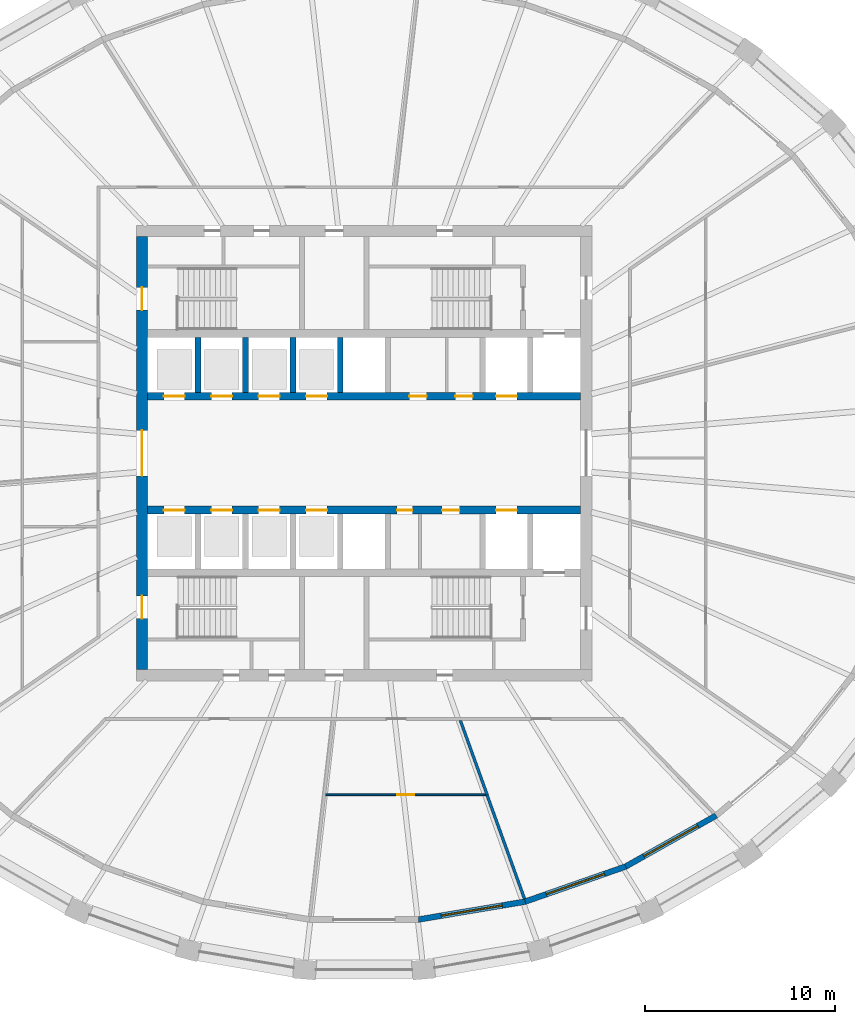
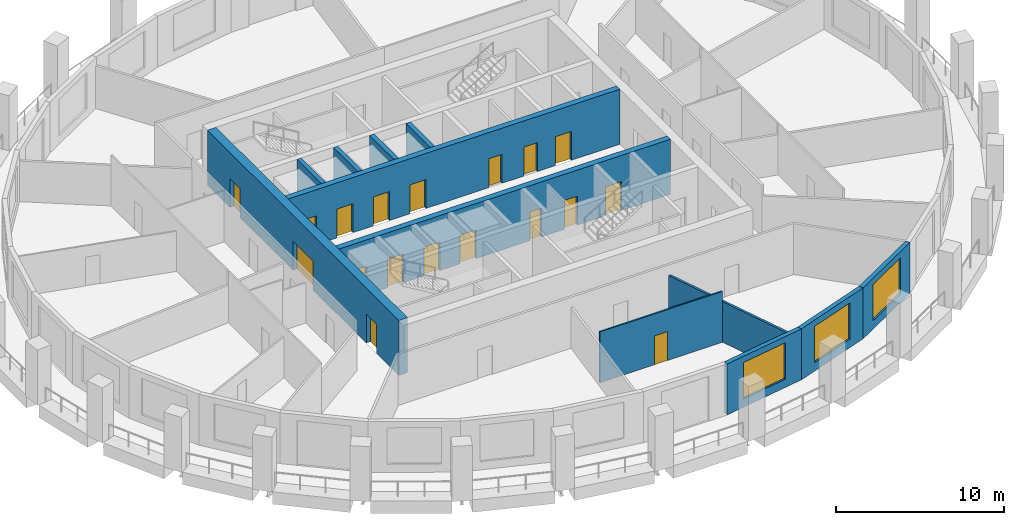
# One storey, part 4 of 11: 18 doors, 13 walls, 3 windows, 21 openings.
"""IFC4 building model written with IfcOpenShell, lengths in metres."""

from ifc_helpers import new_model, si_unit, direction, frame, frame_2d, origin, place, context, subcontext, project, spatial, polyline, rectangle, outline, extrude, material, layer, layer_set, type_object, element, fill, save


model = new_model("IFC4")

# Units and contexts
model_context = context("Model", 3, precision=1e-05, world=origin(), true_north=direction((0.0, 1.0)))
body_context = subcontext(model_context, "Body", "Model", "MODEL_VIEW")
ifc_project = project(units=[si_unit("LENGTHUNIT", "METRE"), si_unit("AREAUNIT", "SQUARE_METRE"), si_unit("VOLUMEUNIT", "CUBIC_METRE"), si_unit("PLANEANGLEUNIT", "RADIAN"), si_unit("MASSUNIT", "GRAM", prefix="KILO")], contexts=[model_context])

# Site, building, storey
site_placement = place(None, origin())
site = spatial("IfcSite", under=ifc_project, at=site_placement, CompositionType="ELEMENT")
building_placement = place(site_placement, origin())
building = spatial("IfcBuilding", under=site, at=building_placement, Name="Halqa Exchange Tower", CompositionType="ELEMENT")
storey_placement = place(building_placement, frame((0.0, 0.0, 218.89990234375)))
storey = spatial("IfcBuildingStorey", under=building, at=storey_placement, Name="L50", CompositionType="ELEMENT", Elevation=218.89990234375)

# Walls
ifc_material_1 = material(Name="Fire-rated gypsum board")
ifc_layer_1 = layer(ifc_material_1, 0.14990234375)
ifc_layer_set_1 = layer_set([ifc_layer_1], Name="Fire-rated gypsum board")
wall_type_1 = type_object("IfcWallType", Name="Fire partition EI 60 150", PredefinedType="PARTITIONING", material=ifc_layer_set_1)
wall_1_placement = place(storey_placement, frame((5.05810546875, -14.0498046875, 0.0), z_axis=(0.0, 0.0, 1.0), x_axis=(0.338678283686, -0.940902237302, 0.0)))
element("IfcWall", 1, at=wall_1_placement, inside=storey, type_object=wall_type_1, Name="L50-PWL-022", PredefinedType="PARTITIONING", context=body_context, shape_type="SweptSolid", body=[
    extrude(outline(polyline([(0.0, -0.074951171875), (1.372802734375, -0.074951171875), (2.745361328125, -0.074951171875), (4.1181640625, -0.074951171875), (4.1181640625, -0.07470703125), (4.11865234375, -0.074951171875), (4.1982421875, -0.074951171875), (4.1982421875, 0.074951171875), (2.816650390625, 0.074951171875), (1.435302734375, 0.074951171875), (0.0537109375, 0.074951171875), (0.0, -0.074462890625), (0.0, -0.074951171875)])), origin(), (0.0, 0.0, 1.0), 2.947021484375),
])
wall_2_placement = place(storey_placement, frame((6.47119140625, -18.00341796875, 0.0), z_axis=(0.0, 0.0, 1.0), x_axis=(0.339648584393, -0.940552411681, 0.0)))
element("IfcWall", 2, at=wall_2_placement, inside=storey, type_object=wall_type_1, Name="L50-PWL-024", PredefinedType="PARTITIONING", context=body_context, shape_type="SweptSolid", body=[
    extrude(outline(polyline([(0.021484375, -0.074951171875), (1.951171875, -0.074951171875), (3.880615234375, -0.074951171875), (5.810302734375, -0.074951171875), (5.8232421875, -0.003662109375), (5.82373046875, 0.043212890625), (5.82373046875, 0.074951171875), (3.882568359375, 0.074951171875), (1.941162109375, 0.074951171875), (0.0, 0.074951171875), (0.0, -0.067138671875), (0.021484375, -0.074951171875)])), origin(), (0.0, 0.0, 1.0), 2.947021484375),
])

# Wall, opening, door
ifc_material_2 = material(Name="Gypsum board")
ifc_layer_2 = layer(ifc_material_2, 0.10009765625)
ifc_layer_set_2 = layer_set([ifc_layer_2], Name="Gypsum board")
wall_type_2 = type_object("IfcWallType", Name="Partition 100 gypsum", PredefinedType="PARTITIONING", material=ifc_layer_set_2)
wall_3_placement = place(storey_placement, frame((6.407958984375, -18.0, 0.0), z_axis=(0.0, 0.0, 1.0), x_axis=(-1.0, 0.0, 0.0)))
wall_3 = element("IfcWall", 3, at=wall_3_placement, inside=storey, type_object=wall_type_2, Name="L50-PWL-023", PredefinedType="PARTITIONING", context=body_context, shape_type="SweptSolid", body=[
    extrude(outline(polyline([(0.025634765625, -0.050048828125), (1.705810546875, -0.050048828125), (3.385986328125, -0.050048828125), (5.066162109375, -0.050048828125), (6.746337890625, -0.050048828125), (8.426513671875, -0.050048828125), (8.43798828125, 0.04736328125), (8.43798828125, 0.050048828125), (6.75048828125, 0.050048828125), (5.062744140625, 0.050048828125), (3.375244140625, 0.050048828125), (1.6875, 0.050048828125), (0.0, 0.050048828125), (0.0, 0.049072265625), (0.0068359375, 0.0302734375), (0.0, 0.02783203125), (0.0, 0.021484375), (0.025634765625, -0.050048828125)])), origin(), (0.0, 0.0, 1.0), 3.7001953125),
])
opening_1_placement = place(wall_3_placement, frame((3.77294921875, 0.0, 0.0)))
opening_1 = element("IfcOpeningElement", 4, at=opening_1_placement, cuts=wall_3, Name="Opening 15-19", PredefinedType="OPENING", context=body_context, shape_type="SweptSolid", body=[
    extrude(rectangle(XDim=0.89990234375, YDim=2.10009765625, at=frame_2d((0.449951171875, 1.050048828125))), frame((0.0, 0.06201171875, 0.0), z_axis=(0.0, -1.0, 0.0), x_axis=(1.0, 0.0, 0.0)), (0.0, 0.0, 1.0), 0.1240234375),
])
ifc_material_3 = material(Name="Timber door leaf", Category="wood")
door_type_1 = type_object("IfcDoorType", Name="Door 900 x 2100", OperationType="SINGLE_SWING_LEFT", PredefinedType="DOOR", material=ifc_material_3)
door_1_placement = place(opening_1_placement, frame((0.89990234375, 0.0, 0.0), z_axis=(0.0, 0.0, 1.0), x_axis=(-1.0, 0.0, 0.0)))
door_1 = element("IfcDoor", 5, at=door_1_placement, inside=storey, type_object=door_type_1, Name="L50-IDR-019", OperationType="SINGLE_SWING_RIGHT", OverallHeight=2.10009765625, OverallWidth=0.89990234375, PredefinedType="DOOR", context=body_context, shape_type="SweptSolid", body=[
    extrude(rectangle(XDim=0.89990234375, YDim=2.10009765625, at=frame_2d((0.449951171875, 1.050048828125))), frame((0.0, 0.02490234375, 0.0), z_axis=(0.0, -1.0, 0.0), x_axis=(1.0, 0.0, 0.0)), (0.0, 0.0, 1.0), 0.050048828125),
])
fill(opening_1, door_1)

# Walls
ifc_material_4 = material(Name="Concrete C60/75", Category="concrete")
ifc_layer_3 = layer(ifc_material_4, 0.300048828125)
ifc_layer_set_3 = layer_set([ifc_layer_3], Name="Concrete C60/75")
wall_type_3 = type_object("IfcWallType", Name="RC core wall 300", PredefinedType="SHEAR", material=ifc_layer_set_3)
for number, where, z_axis, x_axis, name in (
    (6, (-8.75, 3.199951171875, 0.0), (0.0, 0.0, 1.0), (0.0, 1.0, 0.0), "Shaft divider N1"),
    (7, (-6.25, 3.199951171875, 0.0), (0.0, 0.0, 1.0), (0.0, 1.0, 0.0), "Shaft divider N2"),
    (8, (-3.75, 3.199951171875, 0.0), (0.0, 0.0, 1.0), (0.0, 1.0, 0.0), "Shaft divider N3"),
    (9, (-1.25, 3.199951171875, 0.0), (0.0, 0.0, 1.0), (0.0, 1.0, 0.0), "Shaft divider N4"),
):
    element("IfcWall", number, at=place(storey_placement, frame(where, z_axis=z_axis, x_axis=x_axis)), inside=storey, type_object=wall_type_3, Name=name, PredefinedType="SHEAR", context=body_context, shape_type="SweptSolid", body=[
        extrude(rectangle(XDim=2.900146484375, YDim=0.300048828125, at=frame_2d((1.4501953125, 0.0))), origin(), (0.0, 0.0, 1.0), 4.0),
    ])

# Wall, openings, doors
ifc_material_5 = material(Name="Concrete C70/85", Category="concrete")
ifc_layer_4 = layer(ifc_material_5, 0.39990234375)
ifc_layer_set_4 = layer_set([ifc_layer_4], Name="Concrete C70/85")
wall_type_4 = type_object("IfcWallType", Name="RC core wall 400 C70/85", PredefinedType="SHEAR", material=ifc_layer_set_4)
wall_4_placement = place(storey_placement, frame((-11.39990234375, 3.0, 0.0), z_axis=(0.0, 0.0, 1.0), x_axis=(1.0, 0.0, 0.0)))
wall_4 = element("IfcWall", 10, at=wall_4_placement, inside=storey, type_object=wall_type_4, Name="Lift row front wall N", PredefinedType="SHEAR", context=body_context, shape_type="SweptSolid", body=[
    extrude(rectangle(XDim=22.7998046875, YDim=0.39990234375, at=frame_2d((11.39990234375, 0.0))), origin(), (0.0, 0.0, 1.0), 4.0),
])
opening_2_placement = place(wall_4_placement, frame((0.85009765625, 0.0, 0.0)))
opening_2 = element("IfcOpeningElement", 11, at=opening_2_placement, cuts=wall_4, Name="Opening LD-HR1-T15", PredefinedType="OPENING", context=body_context, shape_type="SweptSolid", body=[
    extrude(rectangle(XDim=1.10009765625, YDim=2.10009765625, at=frame_2d((0.550048828125, 1.050048828125))), frame((0.0, 0.2119140625, 0.0), z_axis=(0.0, -1.0, 0.0), x_axis=(1.0, 0.0, 0.0)), (0.0, 0.0, 1.0), 0.423828125),
])
opening_3_placement = place(wall_4_placement, frame((3.35009765625, 0.0, 0.0)))
opening_3 = element("IfcOpeningElement", 12, at=opening_3_placement, cuts=wall_4, Name="Opening LD-HR2-T15", PredefinedType="OPENING", context=body_context, shape_type="SweptSolid", body=[
    extrude(rectangle(XDim=1.10009765625, YDim=2.10009765625, at=frame_2d((0.550048828125, 1.050048828125))), frame((0.0, 0.2119140625, 0.0), z_axis=(0.0, -1.0, 0.0), x_axis=(1.0, 0.0, 0.0)), (0.0, 0.0, 1.0), 0.423828125),
])
opening_4_placement = place(wall_4_placement, frame((5.85009765625, 0.0, 0.0)))
opening_4 = element("IfcOpeningElement", 13, at=opening_4_placement, cuts=wall_4, Name="Opening LD-MR1-T15", PredefinedType="OPENING", context=body_context, shape_type="SweptSolid", body=[
    extrude(rectangle(XDim=1.10009765625, YDim=2.10009765625, at=frame_2d((0.550048828125, 1.050048828125))), frame((0.0, 0.2119140625, 0.0), z_axis=(0.0, -1.0, 0.0), x_axis=(1.0, 0.0, 0.0)), (0.0, 0.0, 1.0), 0.423828125),
])
opening_5_placement = place(wall_4_placement, frame((8.35009765625, 0.0, 0.0)))
opening_5 = element("IfcOpeningElement", 14, at=opening_5_placement, cuts=wall_4, Name="Opening LD-MR2-T15", PredefinedType="OPENING", context=body_context, shape_type="SweptSolid", body=[
    extrude(rectangle(XDim=1.10009765625, YDim=2.10009765625, at=frame_2d((0.550048828125, 1.050048828125))), frame((0.0, 0.2119140625, 0.0), z_axis=(0.0, -1.0, 0.0), x_axis=(1.0, 0.0, 0.0)), (0.0, 0.0, 1.0), 0.423828125),
])
opening_6_placement = place(wall_4_placement, frame((18.35009765625, 0.0, 0.0)))
opening_6 = element("IfcOpeningElement", 15, at=opening_6_placement, cuts=wall_4, Name="Opening LD-SV1-T15", PredefinedType="OPENING", context=body_context, shape_type="SweptSolid", body=[
    extrude(rectangle(XDim=1.10009765625, YDim=2.10009765625, at=frame_2d((0.550048828125, 1.050048828125))), frame((0.0, 0.2119140625, 0.0), z_axis=(0.0, -1.0, 0.0), x_axis=(1.0, 0.0, 0.0)), (0.0, 0.0, 1.0), 0.423828125),
])
opening_7_placement = place(wall_4_placement, frame((13.78759765625, 0.0, 0.0)))
opening_7 = element("IfcOpeningElement", 16, at=opening_7_placement, cuts=wall_4, Name="Opening T15-C29", PredefinedType="OPENING", context=body_context, shape_type="SweptSolid", body=[
    extrude(rectangle(XDim=0.89990234375, YDim=2.10009765625, at=frame_2d((0.449951171875, 1.050048828125))), frame((0.0, 0.2119140625, 0.0), z_axis=(0.0, -1.0, 0.0), x_axis=(1.0, 0.0, 0.0)), (0.0, 0.0, 1.0), 0.423828125),
])
opening_8_placement = place(wall_4_placement, frame((16.21240234375, 0.0, 0.0)))
opening_8 = element("IfcOpeningElement", 17, at=opening_8_placement, cuts=wall_4, Name="Opening T15-C30", PredefinedType="OPENING", context=body_context, shape_type="SweptSolid", body=[
    extrude(rectangle(XDim=0.89990234375, YDim=2.10009765625, at=frame_2d((0.449951171875, 1.050048828125))), frame((0.0, 0.2119140625, 0.0), z_axis=(0.0, -1.0, 0.0), x_axis=(1.0, 0.0, 0.0)), (0.0, 0.0, 1.0), 0.423828125),
])
ifc_material_6 = material(Name="Timber fire door leaf", Category="wood")
door_type_2 = type_object("IfcDoorType", Name="Core room door FD30 900 x 2100", OperationType="SINGLE_SWING_LEFT", PredefinedType="DOOR", material=ifc_material_6)
door_2_placement = place(opening_7_placement, origin())
door_2 = element("IfcDoor", 18, at=door_2_placement, inside=storey, type_object=door_type_2, Name="Core room door", OperationType="SINGLE_SWING_LEFT", OverallHeight=2.10009765625, OverallWidth=0.89990234375, PredefinedType="DOOR", context=body_context, shape_type="SweptSolid", body=[
    extrude(rectangle(XDim=0.89990234375, YDim=2.10009765625, at=frame_2d((0.449951171875, 1.050048828125))), frame((0.0, 0.02490234375, 0.0), z_axis=(0.0, -1.0, 0.0), x_axis=(1.0, 0.0, 0.0)), (0.0, 0.0, 1.0), 0.050048828125),
])
fill(opening_7, door_2)
door_3_placement = place(opening_8_placement, origin())
door_3 = element("IfcDoor", 19, at=door_3_placement, inside=storey, type_object=door_type_2, Name="Core room door", OperationType="SINGLE_SWING_RIGHT", OverallHeight=2.10009765625, OverallWidth=0.89990234375, PredefinedType="DOOR", context=body_context, shape_type="SweptSolid", body=[
    extrude(rectangle(XDim=0.89990234375, YDim=2.10009765625, at=frame_2d((0.449951171875, 1.050048828125))), frame((0.0, 0.02490234375, 0.0), z_axis=(0.0, -1.0, 0.0), x_axis=(1.0, 0.0, 0.0)), (0.0, 0.0, 1.0), 0.050048828125),
])
fill(opening_8, door_3)
ifc_material_7 = material(Name="Stainless steel", Category="steel")
door_type_3 = type_object("IfcDoorType", Name="Lift landing door 1100 x 2100", OperationType="SLIDING_TO_LEFT", PredefinedType="DOOR", material=ifc_material_7)
door_4_placement = place(opening_2_placement, origin())
door_4 = element("IfcDoor", 20, at=door_4_placement, inside=storey, type_object=door_type_3, Name="Lift landing door HR1", OperationType="SLIDING_TO_LEFT", OverallHeight=2.10009765625, OverallWidth=1.10009765625, PredefinedType="DOOR", context=body_context, shape_type="SweptSolid", body=[
    extrude(rectangle(XDim=1.10009765625, YDim=2.10009765625, at=frame_2d((0.550048828125, 1.050048828125))), frame((0.0, 0.02490234375, 0.0), z_axis=(0.0, -1.0, 0.0), x_axis=(1.0, 0.0, 0.0)), (0.0, 0.0, 1.0), 0.050048828125),
])
fill(opening_2, door_4)
door_5_placement = place(opening_3_placement, origin())
door_5 = element("IfcDoor", 21, at=door_5_placement, inside=storey, type_object=door_type_3, Name="Lift landing door HR2", OperationType="SLIDING_TO_LEFT", OverallHeight=2.10009765625, OverallWidth=1.10009765625, PredefinedType="DOOR", context=body_context, shape_type="SweptSolid", body=[
    extrude(rectangle(XDim=1.10009765625, YDim=2.10009765625, at=frame_2d((0.550048828125, 1.050048828125))), frame((0.0, 0.02490234375, 0.0), z_axis=(0.0, -1.0, 0.0), x_axis=(1.0, 0.0, 0.0)), (0.0, 0.0, 1.0), 0.050048828125),
])
fill(opening_3, door_5)
door_6_placement = place(opening_4_placement, origin())
door_6 = element("IfcDoor", 22, at=door_6_placement, inside=storey, type_object=door_type_3, Name="Lift landing door MR1", OperationType="SLIDING_TO_LEFT", OverallHeight=2.10009765625, OverallWidth=1.10009765625, PredefinedType="DOOR", context=body_context, shape_type="SweptSolid", body=[
    extrude(rectangle(XDim=1.10009765625, YDim=2.10009765625, at=frame_2d((0.550048828125, 1.050048828125))), frame((0.0, 0.02490234375, 0.0), z_axis=(0.0, -1.0, 0.0), x_axis=(1.0, 0.0, 0.0)), (0.0, 0.0, 1.0), 0.050048828125),
])
fill(opening_4, door_6)
door_7_placement = place(opening_5_placement, origin())
door_7 = element("IfcDoor", 23, at=door_7_placement, inside=storey, type_object=door_type_3, Name="Lift landing door MR2", OperationType="SLIDING_TO_LEFT", OverallHeight=2.10009765625, OverallWidth=1.10009765625, PredefinedType="DOOR", context=body_context, shape_type="SweptSolid", body=[
    extrude(rectangle(XDim=1.10009765625, YDim=2.10009765625, at=frame_2d((0.550048828125, 1.050048828125))), frame((0.0, 0.02490234375, 0.0), z_axis=(0.0, -1.0, 0.0), x_axis=(1.0, 0.0, 0.0)), (0.0, 0.0, 1.0), 0.050048828125),
])
fill(opening_5, door_7)
door_8_placement = place(opening_6_placement, origin())
door_8 = element("IfcDoor", 24, at=door_8_placement, inside=storey, type_object=door_type_3, Name="Lift landing door SV1", OperationType="SLIDING_TO_LEFT", OverallHeight=2.10009765625, OverallWidth=1.10009765625, PredefinedType="DOOR", context=body_context, shape_type="SweptSolid", body=[
    extrude(rectangle(XDim=1.10009765625, YDim=2.10009765625, at=frame_2d((0.550048828125, 1.050048828125))), frame((0.0, 0.02490234375, 0.0), z_axis=(0.0, -1.0, 0.0), x_axis=(1.0, 0.0, 0.0)), (0.0, 0.0, 1.0), 0.050048828125),
])
fill(opening_6, door_8)

wall_5_placement = place(storey_placement, frame((-11.39990234375, -3.0, 0.0), z_axis=(0.0, 0.0, 1.0), x_axis=(1.0, 0.0, 0.0)))
wall_5 = element("IfcWall", 25, at=wall_5_placement, inside=storey, type_object=wall_type_4, Name="Lift row front wall S", PredefinedType="SHEAR", context=body_context, shape_type="SweptSolid", body=[
    extrude(rectangle(XDim=22.7998046875, YDim=0.39990234375, at=frame_2d((11.39990234375, 0.0))), origin(), (0.0, 0.0, 1.0), 4.0),
])
opening_9_placement = place(wall_5_placement, frame((0.85009765625, 0.0, 0.0)))
opening_9 = element("IfcOpeningElement", 26, at=opening_9_placement, cuts=wall_5, Name="Opening LD-HR3-T15", PredefinedType="OPENING", context=body_context, shape_type="SweptSolid", body=[
    extrude(rectangle(XDim=1.10009765625, YDim=2.10009765625, at=frame_2d((0.550048828125, 1.050048828125))), frame((0.0, 0.2119140625, 0.0), z_axis=(0.0, -1.0, 0.0), x_axis=(1.0, 0.0, 0.0)), (0.0, 0.0, 1.0), 0.423828125),
])
opening_10_placement = place(wall_5_placement, frame((3.35009765625, 0.0, 0.0)))
opening_10 = element("IfcOpeningElement", 27, at=opening_10_placement, cuts=wall_5, Name="Opening LD-HR4-T15", PredefinedType="OPENING", context=body_context, shape_type="SweptSolid", body=[
    extrude(rectangle(XDim=1.10009765625, YDim=2.10009765625, at=frame_2d((0.550048828125, 1.050048828125))), frame((0.0, 0.2119140625, 0.0), z_axis=(0.0, -1.0, 0.0), x_axis=(1.0, 0.0, 0.0)), (0.0, 0.0, 1.0), 0.423828125),
])
opening_11_placement = place(wall_5_placement, frame((5.85009765625, 0.0, 0.0)))
opening_11 = element("IfcOpeningElement", 28, at=opening_11_placement, cuts=wall_5, Name="Opening LD-MR3-T15", PredefinedType="OPENING", context=body_context, shape_type="SweptSolid", body=[
    extrude(rectangle(XDim=1.10009765625, YDim=2.10009765625, at=frame_2d((0.550048828125, 1.050048828125))), frame((0.0, 0.2119140625, 0.0), z_axis=(0.0, -1.0, 0.0), x_axis=(1.0, 0.0, 0.0)), (0.0, 0.0, 1.0), 0.423828125),
])
opening_12_placement = place(wall_5_placement, frame((8.35009765625, 0.0, 0.0)))
opening_12 = element("IfcOpeningElement", 29, at=opening_12_placement, cuts=wall_5, Name="Opening LD-MR4-T15", PredefinedType="OPENING", context=body_context, shape_type="SweptSolid", body=[
    extrude(rectangle(XDim=1.10009765625, YDim=2.10009765625, at=frame_2d((0.550048828125, 1.050048828125))), frame((0.0, 0.2119140625, 0.0), z_axis=(0.0, -1.0, 0.0), x_axis=(1.0, 0.0, 0.0)), (0.0, 0.0, 1.0), 0.423828125),
])
opening_13_placement = place(wall_5_placement, frame((18.35009765625, 0.0, 0.0)))
opening_13 = element("IfcOpeningElement", 30, at=opening_13_placement, cuts=wall_5, Name="Opening LD-SV2-T15", PredefinedType="OPENING", context=body_context, shape_type="SweptSolid", body=[
    extrude(rectangle(XDim=1.10009765625, YDim=2.10009765625, at=frame_2d((0.550048828125, 1.050048828125))), frame((0.0, 0.2119140625, 0.0), z_axis=(0.0, -1.0, 0.0), x_axis=(1.0, 0.0, 0.0)), (0.0, 0.0, 1.0), 0.423828125),
])
opening_14_placement = place(wall_5_placement, frame((13.137451171875, 0.0, 0.0)))
opening_14 = element("IfcOpeningElement", 31, at=opening_14_placement, cuts=wall_5, Name="Opening T15-C31", PredefinedType="OPENING", context=body_context, shape_type="SweptSolid", body=[
    extrude(rectangle(XDim=0.800048828125, YDim=2.10009765625, at=frame_2d((0.39990234375, 1.050048828125))), frame((0.0, 0.2119140625, 0.0), z_axis=(0.0, -1.0, 0.0), x_axis=(1.0, 0.0, 0.0)), (0.0, 0.0, 1.0), 0.423828125),
])
opening_15_placement = place(wall_5_placement, frame((15.512451171875, 0.0, 0.0)))
opening_15 = element("IfcOpeningElement", 32, at=opening_15_placement, cuts=wall_5, Name="Opening T15-C32", PredefinedType="OPENING", context=body_context, shape_type="SweptSolid", body=[
    extrude(rectangle(XDim=0.89990234375, YDim=2.10009765625, at=frame_2d((0.449951171875, 1.050048828125))), frame((0.0, 0.2119140625, 0.0), z_axis=(0.0, -1.0, 0.0), x_axis=(1.0, 0.0, 0.0)), (0.0, 0.0, 1.0), 0.423828125),
])
door_9_placement = place(opening_15_placement, frame((0.89990234375, 0.0, 0.0), z_axis=(0.0, 0.0, 1.0), x_axis=(-1.0, 0.0, 0.0)))
door_9 = element("IfcDoor", 33, at=door_9_placement, inside=storey, type_object=door_type_2, Name="Core room door", OperationType="SINGLE_SWING_LEFT", OverallHeight=2.10009765625, OverallWidth=0.89990234375, PredefinedType="DOOR", context=body_context, shape_type="SweptSolid", body=[
    extrude(rectangle(XDim=0.89990234375, YDim=2.10009765625, at=frame_2d((0.449951171875, 1.050048828125))), frame((0.0, 0.02490234375, 0.0), z_axis=(0.0, -1.0, 0.0), x_axis=(1.0, 0.0, 0.0)), (0.0, 0.0, 1.0), 0.050048828125),
])
fill(opening_15, door_9)
door_10_placement = place(opening_9_placement, origin())
door_10 = element("IfcDoor", 34, at=door_10_placement, inside=storey, type_object=door_type_3, Name="Lift landing door HR3", OperationType="SLIDING_TO_LEFT", OverallHeight=2.10009765625, OverallWidth=1.10009765625, PredefinedType="DOOR", context=body_context, shape_type="SweptSolid", body=[
    extrude(rectangle(XDim=1.10009765625, YDim=2.10009765625, at=frame_2d((0.550048828125, 1.050048828125))), frame((0.0, 0.02490234375, 0.0), z_axis=(0.0, -1.0, 0.0), x_axis=(1.0, 0.0, 0.0)), (0.0, 0.0, 1.0), 0.050048828125),
])
fill(opening_9, door_10)
door_11_placement = place(opening_10_placement, origin())
door_11 = element("IfcDoor", 35, at=door_11_placement, inside=storey, type_object=door_type_3, Name="Lift landing door HR4", OperationType="SLIDING_TO_LEFT", OverallHeight=2.10009765625, OverallWidth=1.10009765625, PredefinedType="DOOR", context=body_context, shape_type="SweptSolid", body=[
    extrude(rectangle(XDim=1.10009765625, YDim=2.10009765625, at=frame_2d((0.550048828125, 1.050048828125))), frame((0.0, 0.02490234375, 0.0), z_axis=(0.0, -1.0, 0.0), x_axis=(1.0, 0.0, 0.0)), (0.0, 0.0, 1.0), 0.050048828125),
])
fill(opening_10, door_11)
door_12_placement = place(opening_11_placement, origin())
door_12 = element("IfcDoor", 36, at=door_12_placement, inside=storey, type_object=door_type_3, Name="Lift landing door MR3", OperationType="SLIDING_TO_LEFT", OverallHeight=2.10009765625, OverallWidth=1.10009765625, PredefinedType="DOOR", context=body_context, shape_type="SweptSolid", body=[
    extrude(rectangle(XDim=1.10009765625, YDim=2.10009765625, at=frame_2d((0.550048828125, 1.050048828125))), frame((0.0, 0.02490234375, 0.0), z_axis=(0.0, -1.0, 0.0), x_axis=(1.0, 0.0, 0.0)), (0.0, 0.0, 1.0), 0.050048828125),
])
fill(opening_11, door_12)
door_13_placement = place(opening_12_placement, origin())
door_13 = element("IfcDoor", 37, at=door_13_placement, inside=storey, type_object=door_type_3, Name="Lift landing door MR4", OperationType="SLIDING_TO_LEFT", OverallHeight=2.10009765625, OverallWidth=1.10009765625, PredefinedType="DOOR", context=body_context, shape_type="SweptSolid", body=[
    extrude(rectangle(XDim=1.10009765625, YDim=2.10009765625, at=frame_2d((0.550048828125, 1.050048828125))), frame((0.0, 0.02490234375, 0.0), z_axis=(0.0, -1.0, 0.0), x_axis=(1.0, 0.0, 0.0)), (0.0, 0.0, 1.0), 0.050048828125),
])
fill(opening_12, door_13)
door_14_placement = place(opening_13_placement, origin())
door_14 = element("IfcDoor", 38, at=door_14_placement, inside=storey, type_object=door_type_3, Name="Lift landing door SV2", OperationType="SLIDING_TO_LEFT", OverallHeight=2.10009765625, OverallWidth=1.10009765625, PredefinedType="DOOR", context=body_context, shape_type="SweptSolid", body=[
    extrude(rectangle(XDim=1.10009765625, YDim=2.10009765625, at=frame_2d((0.550048828125, 1.050048828125))), frame((0.0, 0.02490234375, 0.0), z_axis=(0.0, -1.0, 0.0), x_axis=(1.0, 0.0, 0.0)), (0.0, 0.0, 1.0), 0.050048828125),
])
fill(opening_13, door_14)
ifc_material_8 = material(Name="Steel fire door leaf", Category="steel")
door_type_4 = type_object("IfcDoorType", Name="Riser door FD60 800 x 2100", OperationType="SINGLE_SWING_LEFT", PredefinedType="DOOR", material=ifc_material_8)
door_15_placement = place(opening_14_placement, frame((0.800048828125, 0.0, 0.0), z_axis=(0.0, 0.0, 1.0), x_axis=(-1.0, 0.0, 0.0)))
door_15 = element("IfcDoor", 39, at=door_15_placement, inside=storey, type_object=door_type_4, Name="Core room door", OperationType="SINGLE_SWING_LEFT", OverallHeight=2.10009765625, OverallWidth=0.800048828125, PredefinedType="DOOR", context=body_context, shape_type="SweptSolid", body=[
    extrude(rectangle(XDim=0.800048828125, YDim=2.10009765625, at=frame_2d((0.39990234375, 1.050048828125))), frame((0.0, 0.02490234375, 0.0), z_axis=(0.0, -1.0, 0.0), x_axis=(1.0, 0.0, 0.0)), (0.0, 0.0, 1.0), 0.050048828125),
])
fill(opening_14, door_15)

ifc_layer_5 = layer(ifc_material_5, 0.60009765625)
ifc_layer_set_5 = layer_set([ifc_layer_5], Name="Concrete C70/85")
wall_type_5 = type_object("IfcWallType", Name="RC core wall 600 C70/85", PredefinedType="SHEAR", material=ifc_layer_set_5)
wall_6_placement = place(storey_placement, frame((-11.699951171875, -11.39990234375, 0.0), z_axis=(0.0, 0.0, 1.0), x_axis=(0.0, 1.0, 0.0)))
wall_6 = element("IfcWall", 40, at=wall_6_placement, inside=storey, type_object=wall_type_5, Name="Core wall west", PredefinedType="SHEAR", context=body_context, shape_type="SweptSolid", body=[
    extrude(rectangle(XDim=22.7998046875, YDim=0.60009765625, at=frame_2d((11.39990234375, 0.0))), origin(), (0.0, 0.0, 1.0), 4.0),
])
opening_16_placement = place(wall_6_placement, frame((10.199951171875, 0.0, 0.0)))
opening_16 = element("IfcOpeningElement", 41, at=opening_16_placement, cuts=wall_6, Name="Opening T15-C13", PredefinedType="OPENING", context=body_context, shape_type="SweptSolid", body=[
    extrude(rectangle(XDim=2.39990234375, YDim=2.10009765625, at=frame_2d((1.199951171875, 1.050048828125))), frame((0.0, 0.31201171875, 0.0), z_axis=(0.0, -1.0, 0.0), x_axis=(1.0, 0.0, 0.0)), (0.0, 0.0, 1.0), 0.6240234375),
])
opening_17_placement = place(wall_6_placement, frame((18.925048828125, 0.0, 0.0)))
opening_17 = element("IfcOpeningElement", 42, at=opening_17_placement, cuts=wall_6, Name="Opening T15-C15", PredefinedType="OPENING", context=body_context, shape_type="SweptSolid", body=[
    extrude(rectangle(XDim=1.199951171875, YDim=2.10009765625, at=frame_2d((0.60009765625, 1.050048828125))), frame((0.0, 0.31201171875, 0.0), z_axis=(0.0, -1.0, 0.0), x_axis=(1.0, 0.0, 0.0)), (0.0, 0.0, 1.0), 0.6240234375),
])
opening_18_placement = place(wall_6_placement, frame((2.675048828125, 0.0, 0.0)))
opening_18 = element("IfcOpeningElement", 43, at=opening_18_placement, cuts=wall_6, Name="Opening T15-C17", PredefinedType="OPENING", context=body_context, shape_type="SweptSolid", body=[
    extrude(rectangle(XDim=1.199951171875, YDim=2.10009765625, at=frame_2d((0.60009765625, 1.050048828125))), frame((0.0, 0.31201171875, 0.0), z_axis=(0.0, -1.0, 0.0), x_axis=(1.0, 0.0, 0.0)), (0.0, 0.0, 1.0), 0.6240234375),
])
door_type_5 = type_object("IfcDoorType", Name="Lobby double door FD60 2400 x 2100", OperationType="DOUBLE_DOOR_SINGLE_SWING", PredefinedType="DOOR", material=ifc_material_8)
door_16_placement = place(opening_16_placement, frame((2.39990234375, 0.0, 0.0), z_axis=(0.0, 0.0, 1.0), x_axis=(-1.0, 0.0, 0.0)))
door_16 = element("IfcDoor", 44, at=door_16_placement, inside=storey, type_object=door_type_5, Name="Lift lobby double door", OperationType="DOUBLE_DOOR_SINGLE_SWING", OverallHeight=2.10009765625, OverallWidth=2.39990234375, PredefinedType="DOOR", context=body_context, shape_type="SweptSolid", body=[
    extrude(rectangle(XDim=2.39990234375, YDim=2.10009765625, at=frame_2d((1.199951171875, 1.050048828125))), frame((0.0, 0.02490234375, 0.0), z_axis=(0.0, -1.0, 0.0), x_axis=(1.0, 0.0, 0.0)), (0.0, 0.0, 1.0), 0.050048828125),
])
fill(opening_16, door_16)
door_type_6 = type_object("IfcDoorType", Name="Stair door FD90 1200 x 2100", OperationType="SINGLE_SWING_LEFT", PredefinedType="DOOR", material=ifc_material_8)
door_17_placement = place(opening_17_placement, frame((1.199951171875, 0.0, 0.0), z_axis=(0.0, 0.0, 1.0), x_axis=(-1.0, 0.0, 0.0)))
door_17 = element("IfcDoor", 45, at=door_17_placement, inside=storey, type_object=door_type_6, Name="Stair door ST1", OperationType="SINGLE_SWING_RIGHT", OverallHeight=2.10009765625, OverallWidth=1.199951171875, PredefinedType="DOOR", context=body_context, shape_type="SweptSolid", body=[
    extrude(rectangle(XDim=1.199951171875, YDim=2.10009765625, at=frame_2d((0.60009765625, 1.050048828125))), frame((0.0, 0.02490234375, 0.0), z_axis=(0.0, -1.0, 0.0), x_axis=(1.0, 0.0, 0.0)), (0.0, 0.0, 1.0), 0.050048828125),
])
fill(opening_17, door_17)
door_18_placement = place(opening_18_placement, frame((1.199951171875, 0.0, 0.0), z_axis=(0.0, 0.0, 1.0), x_axis=(-1.0, 0.0, 0.0)))
door_18 = element("IfcDoor", 46, at=door_18_placement, inside=storey, type_object=door_type_6, Name="Stair door ST3", OperationType="SINGLE_SWING_RIGHT", OverallHeight=2.10009765625, OverallWidth=1.199951171875, PredefinedType="DOOR", context=body_context, shape_type="SweptSolid", body=[
    extrude(rectangle(XDim=1.199951171875, YDim=2.10009765625, at=frame_2d((0.60009765625, 1.050048828125))), frame((0.0, 0.02490234375, 0.0), z_axis=(0.0, -1.0, 0.0), x_axis=(1.0, 0.0, 0.0)), (0.0, 0.0, 1.0), 0.050048828125),
])
fill(opening_18, door_18)

# Wall, opening, window
ifc_material_9 = material(Name="Limestone cladding", Category="masonry")
ifc_layer_6 = layer(ifc_material_9, 0.0400390625)
ifc_material_10 = material(Name="Ventilated cavity")
ifc_layer_7 = layer(ifc_material_10, 0.030029296875, ventilated=True)
ifc_material_11 = material(Name="Mineral wool insulation")
ifc_layer_8 = layer(ifc_material_11, 0.10009765625)
ifc_material_12 = material(Name="Concrete C30/37", Category="concrete")
ifc_layer_9 = layer(ifc_material_12, 0.10009765625)
ifc_material_13 = material(Name="Internal plaster")
ifc_layer_10 = layer(ifc_material_13, 0.030029296875)
ifc_layer_set_6 = layer_set([ifc_layer_6, ifc_layer_7, ifc_layer_8, ifc_layer_9, ifc_layer_10], Name="Stone-faced insulated wall 300")
wall_type_6 = type_object("IfcWallType", Name="Stone-faced insulated wall 300", PredefinedType="STANDARD", material=ifc_layer_set_6)
wall_7_placement = place(storey_placement, frame((2.8642578125, -24.570068359375, 0.0), z_axis=(0.0, 0.0, 1.0), x_axis=(0.986218486863, 0.16544816762, 0.0)))
wall_7 = element("IfcWall", 47, at=wall_7_placement, inside=storey, type_object=wall_type_6, Name="Glass-line wall 25", PredefinedType="STANDARD", context=body_context, shape_type="SweptSolid", body=[
    extrude(outline(polyline([(-0.012451171875, -0.14990234375), (5.710205078125, -0.14990234375), (5.684814453125, 0.14990234375), (0.012451171875, 0.14990234375), (-0.012451171875, -0.14990234375)])), origin(), (0.0, 0.0, 1.0), 3.7001953125),
])
opening_19_placement = place(wall_7_placement, frame((1.2236328125, 0.0, 0.60009765625)))
opening_19 = element("IfcOpeningElement", 48, at=opening_19_placement, cuts=wall_7, Name="Opening W-F3-25", PredefinedType="OPENING", context=body_context, shape_type="SweptSolid", body=[
    extrude(rectangle(XDim=3.25, YDim=2.64990234375, at=frame_2d((1.625, 1.324951171875))), frame((0.0, 0.162109375, 0.0), z_axis=(0.0, -1.0, 0.0), x_axis=(1.0, 0.0, 0.0)), (0.0, 0.0, 1.0), 0.323974609375),
])
ifc_material_14 = material(Name="Clear low-emissivity glass in aluminium frame", Category="aluminium")
window_type = type_object("IfcWindowType", Name="Fixed clear glazed window 3250 x 2650", PartitioningType="TRIPLE_PANEL_VERTICAL", PredefinedType="WINDOW", material=ifc_material_14)
window_1_placement = place(opening_19_placement, origin())
window_1 = element("IfcWindow", 49, at=window_1_placement, inside=storey, type_object=window_type, Name="Window 3", OverallHeight=2.64990234375, OverallWidth=3.25, PartitioningType="TRIPLE_PANEL_VERTICAL", PredefinedType="WINDOW", context=body_context, shape_type="SweptSolid", body=[
    extrude(rectangle(XDim=3.25, YDim=2.64990234375, at=frame_2d((1.625, 1.324951171875))), frame((0.0, 0.030029296875, 0.0), z_axis=(0.0, -1.0, 0.0), x_axis=(1.0, 0.0, 0.0)), (0.0, 0.0, 1.0), 0.06005859375),
])
fill(opening_19, window_1)

wall_8_placement = place(storey_placement, frame((8.483154296875, -23.62744140625, 0.0), z_axis=(0.0, 0.0, 1.0), x_axis=(0.944053670735, 0.329791853708, 0.0)))
wall_8 = element("IfcWall", 50, at=wall_8_placement, inside=storey, type_object=wall_type_6, Name="Glass-line wall 26", PredefinedType="STANDARD", context=body_context, shape_type="SweptSolid", body=[
    extrude(outline(polyline([(-0.0126953125, -0.14990234375), (5.62109375, -0.14990234375), (5.59423828125, 0.14990234375), (0.0126953125, 0.14990234375), (-0.0126953125, -0.14990234375)])), origin(), (0.0, 0.0, 1.0), 3.7001953125),
])
opening_20_placement = place(wall_8_placement, frame((1.178955078125, 0.0, 0.60009765625)))
opening_20 = element("IfcOpeningElement", 51, at=opening_20_placement, cuts=wall_8, Name="Opening W-F3-26", PredefinedType="OPENING", context=body_context, shape_type="SweptSolid", body=[
    extrude(rectangle(XDim=3.25, YDim=2.64990234375, at=frame_2d((1.625, 1.324951171875))), frame((0.0, 0.162109375, 0.0), z_axis=(0.0, -1.0, 0.0), x_axis=(1.0, 0.0, 0.0)), (0.0, 0.0, 1.0), 0.323974609375),
])
window_2_placement = place(opening_20_placement, origin())
window_2 = element("IfcWindow", 52, at=window_2_placement, inside=storey, type_object=window_type, Name="Window 3", OverallHeight=2.64990234375, OverallWidth=3.25, PartitioningType="TRIPLE_PANEL_VERTICAL", PredefinedType="WINDOW", context=body_context, shape_type="SweptSolid", body=[
    extrude(rectangle(XDim=3.25, YDim=2.64990234375, at=frame_2d((1.625, 1.324951171875))), frame((0.0, 0.030029296875, 0.0), z_axis=(0.0, -1.0, 0.0), x_axis=(1.0, 0.0, 0.0)), (0.0, 0.0, 1.0), 0.06005859375),
])
fill(opening_20, window_2)

wall_9_placement = place(storey_placement, frame((13.777099609375, -21.778076171875, 0.0), z_axis=(0.0, 0.0, 1.0), x_axis=(0.871207038577, 0.490915772749, 0.0)))
wall_9 = element("IfcWall", 53, at=wall_9_placement, inside=storey, type_object=wall_type_6, Name="Glass-line wall 27", PredefinedType="STANDARD", context=body_context, shape_type="SweptSolid", body=[
    extrude(outline(polyline([(-0.013427734375, -0.14990234375), (5.485107421875, -0.14990234375), (5.456787109375, 0.14990234375), (0.013427734375, 0.14990234375), (-0.013427734375, -0.14990234375)])), origin(), (0.0, 0.0, 1.0), 3.7001953125),
])
opening_21_placement = place(wall_9_placement, frame((1.110595703125, 0.0, 0.60009765625)))
opening_21 = element("IfcOpeningElement", 54, at=opening_21_placement, cuts=wall_9, Name="Opening W-F3-27", PredefinedType="OPENING", context=body_context, shape_type="SweptSolid", body=[
    extrude(rectangle(XDim=3.25, YDim=2.64990234375, at=frame_2d((1.625, 1.324951171875))), frame((0.0, 0.162109375, 0.0), z_axis=(0.0, -1.0, 0.0), x_axis=(1.0, 0.0, 0.0)), (0.0, 0.0, 1.0), 0.323974609375),
])
window_3_placement = place(opening_21_placement, origin())
window_3 = element("IfcWindow", 55, at=window_3_placement, inside=storey, type_object=window_type, Name="Window 3", OverallHeight=2.64990234375, OverallWidth=3.25, PartitioningType="TRIPLE_PANEL_VERTICAL", PredefinedType="WINDOW", context=body_context, shape_type="SweptSolid", body=[
    extrude(rectangle(XDim=3.25, YDim=2.64990234375, at=frame_2d((1.625, 1.324951171875))), frame((0.0, 0.030029296875, 0.0), z_axis=(0.0, -1.0, 0.0), x_axis=(1.0, 0.0, 0.0)), (0.0, 0.0, 1.0), 0.06005859375),
])
fill(opening_21, window_3)

save(model, "model.ifc")
